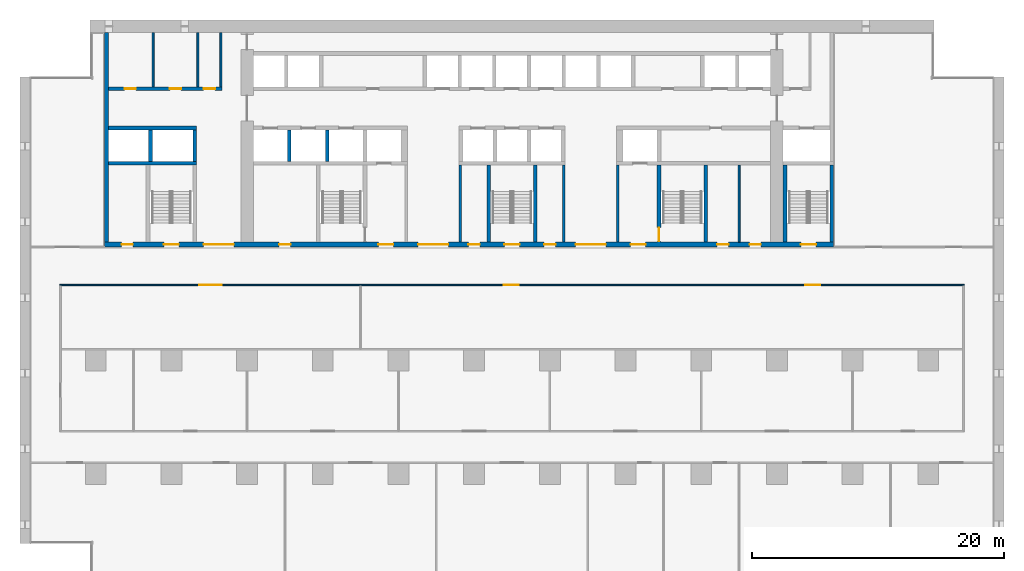
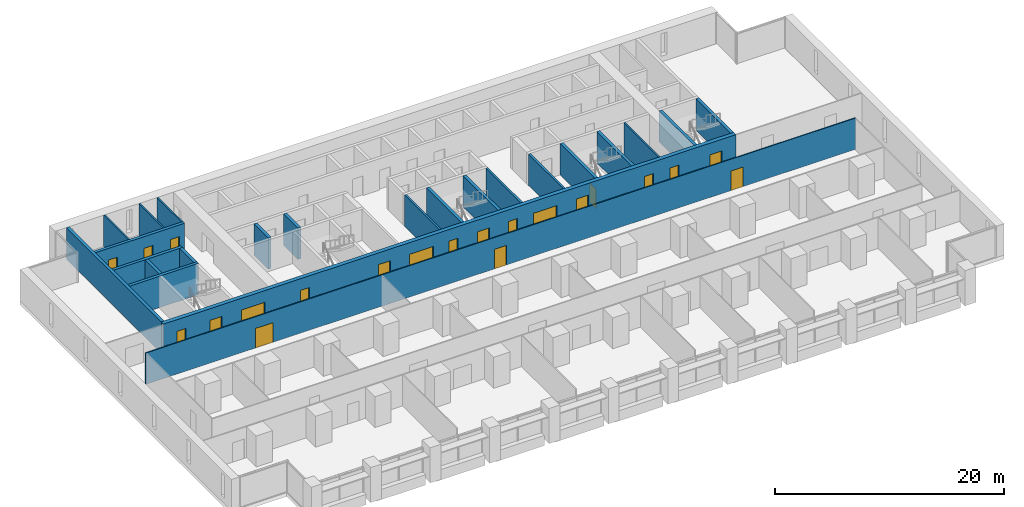
# One storey, part 10 of 18: 23 walls, 21 doors, 21 openings.
"""IFC4 building model written with IfcOpenShell, lengths in metres."""

from ifc_helpers import new_model, si_unit, direction, frame, frame_2d, origin, place, context, subcontext, project, spatial, rectangle, extrude, material, layer, layer_set, type_object, element, fill, save


model = new_model("IFC4")

# Units and contexts
model_context = context("Model", 3, precision=1e-05, world=origin(), true_north=direction((0.0, 1.0)))
body_context = subcontext(model_context, "Body", "Model", "MODEL_VIEW")
ifc_project = project(units=[si_unit("LENGTHUNIT", "METRE"), si_unit("AREAUNIT", "SQUARE_METRE"), si_unit("VOLUMEUNIT", "CUBIC_METRE"), si_unit("PLANEANGLEUNIT", "RADIAN"), si_unit("MASSUNIT", "GRAM", prefix="KILO")], contexts=[model_context])

# Site, building, storey
site_placement = place(None, origin())
site = spatial("IfcSite", under=ifc_project, at=site_placement, CompositionType="ELEMENT")
building_placement = place(site_placement, origin())
building = spatial("IfcBuilding", under=site, at=building_placement, Name="Calvaro Tower", CompositionType="ELEMENT")
storey_placement = place(building_placement, frame((0.0, 0.0, 60.0)))
storey = spatial("IfcBuildingStorey", under=building, at=storey_placement, Name="L14", CompositionType="ELEMENT", Elevation=60.0)

# Walls
ifc_material_1 = material(Name="Blockwork partition", Category="masonry")
ifc_layer_1 = layer(ifc_material_1, 0.14990234375)
ifc_layer_set_1 = layer_set([ifc_layer_1], Name="Blockwork partition")
wall_type_1 = type_object("IfcWallType", Name="Core partition 150 EI 60", PredefinedType="PARTITIONING", material=ifc_layer_set_1)
wall_1_placement = place(storey_placement, frame((57.0, 28.39990234375, 0.0), z_axis=(0.0, 0.0, 1.0), x_axis=(0.0, 1.0, 0.0)))
element("IfcWall", 1, at=wall_1_placement, inside=storey, type_object=wall_type_1, Name="Core partition", PredefinedType="PARTITIONING", context=body_context, shape_type="SweptSolid", body=[
    extrude(rectangle(XDim=6.10009765625, YDim=0.14990234375, at=frame_2d((3.050048828125, 0.0))), origin(), (0.0, 0.0, 1.0), 3.35009765625),
])
for number, where, z_axis, x_axis, name in (
    (2, (10.550048828125, 40.699951171875, 0.0), (0.0, 0.0, 1.0), (0.0, 1.0, 0.0), "Core partition"),
    (3, (14.10009765625, 40.699951171875, 0.0), (0.0, 0.0, 1.0), (0.0, 1.0, 0.0), "Core partition"),
):
    element("IfcWall", number, at=place(storey_placement, frame(where, z_axis=z_axis, x_axis=x_axis)), inside=storey, type_object=wall_type_1, Name=name, PredefinedType="PARTITIONING", context=body_context, shape_type="SweptSolid", body=[
        extrude(rectangle(XDim=4.300048828125, YDim=0.14990234375, at=frame_2d((2.14990234375, 0.0))), origin(), (0.0, 0.0, 1.0), 3.35009765625),
    ])
ifc_material_2 = material(Name="Blockwork partition", Category="masonry")
ifc_layer_2 = layer(ifc_material_2, 0.14990234375)
ifc_layer_set_2 = layer_set([ifc_layer_2], Name="Blockwork partition")
wall_type_2 = type_object("IfcWallType", Name="Core partition 150 REI 120", PredefinedType="PARTITIONING", material=ifc_layer_set_2)
wall_2_placement = place(storey_placement, frame((15.925048828125, 40.699951171875, 0.0), z_axis=(0.0, 0.0, 1.0), x_axis=(0.0, 1.0, 0.0)))
element("IfcWall", 4, at=wall_2_placement, inside=storey, type_object=wall_type_2, Name="Core partition", PredefinedType="PARTITIONING", context=body_context, shape_type="SweptSolid", body=[
    extrude(rectangle(XDim=4.300048828125, YDim=0.14990234375, at=frame_2d((2.14990234375, 0.0))), origin(), (0.0, 0.0, 1.0), 3.35009765625),
])
ifc_material_3 = material(Name="Blockwork partition", Category="masonry")
ifc_layer_3 = layer(ifc_material_3, 0.199951171875)
ifc_layer_set_3 = layer_set([ifc_layer_3], Name="Blockwork partition")
wall_type_3 = type_object("IfcWallType", Name="Core partition 200 REI 120", PredefinedType="PARTITIONING", material=ifc_layer_set_3)
for number, where, z_axis, x_axis, name in (
    (5, (34.89990234375, 28.39990234375, 0.0), (0.0, 0.0, 1.0), (0.0, 1.0, 0.0), "Core partition"),
    (6, (43.10009765625, 28.39990234375, 0.0), (0.0, 0.0, 1.0), (0.0, 1.0, 0.0), "Core partition"),
    (7, (47.39990234375, 28.39990234375, 0.0), (0.0, 0.0, 1.0), (0.0, 1.0, 0.0), "Core partition"),
):
    element("IfcWall", number, at=place(storey_placement, frame(where, z_axis=z_axis, x_axis=x_axis)), inside=storey, type_object=wall_type_3, Name=name, PredefinedType="PARTITIONING", context=body_context, shape_type="SweptSolid", body=[
        extrude(rectangle(XDim=6.10009765625, YDim=0.199951171875, at=frame_2d((3.050048828125, 0.0))), origin(), (0.0, 0.0, 1.0), 3.35009765625),
    ])

# Wall, openings, doors
ifc_material_4 = material(Name="Blockwork partition", Category="masonry")
ifc_layer_4 = layer(ifc_material_4, 0.300048828125)
ifc_layer_set_4 = layer_set([ifc_layer_4], Name="Blockwork partition")
wall_type_4 = type_object("IfcWallType", Name="Core partition 300 REI 120", PredefinedType="PARTITIONING", material=ifc_layer_set_4)
wall_3_placement = place(storey_placement, frame((7.0, 40.550048828125, 0.0), z_axis=(0.0, 0.0, 1.0), x_axis=(1.0, 0.0, 0.0)))
wall_3 = element("IfcWall", 8, at=wall_3_placement, inside=storey, type_object=wall_type_4, Name="Core partition", PredefinedType="PARTITIONING", context=body_context, shape_type="SweptSolid", body=[
    extrude(rectangle(XDim=9.0, YDim=0.300048828125, at=frame_2d((4.5, 0.0))), origin(), (0.0, 0.0, 1.0), 3.35009765625),
])
opening_1_placement = place(wall_3_placement, frame((1.28759765625, 0.0, 0.0)))
opening_1 = element("IfcOpeningElement", 9, at=opening_1_placement, cuts=wall_3, Name="Opening RD9", PredefinedType="OPENING", context=body_context, shape_type="SweptSolid", body=[
    extrude(rectangle(XDim=0.89990234375, YDim=2.10009765625, at=frame_2d((0.449951171875, 1.050048828125))), frame((0.0, 0.159912109375, 0.0), z_axis=(0.0, -1.0, 0.0), x_axis=(1.0, 0.0, 0.0)), (0.0, 0.0, 1.0), 0.320068359375),
])
opening_2_placement = place(wall_3_placement, frame((4.875, 0.0, 0.0)))
opening_2 = element("IfcOpeningElement", 10, at=opening_2_placement, cuts=wall_3, Name="Opening RD9", PredefinedType="OPENING", context=body_context, shape_type="SweptSolid", body=[
    extrude(rectangle(XDim=0.89990234375, YDim=2.10009765625, at=frame_2d((0.449951171875, 1.050048828125))), frame((0.0, 0.159912109375, 0.0), z_axis=(0.0, -1.0, 0.0), x_axis=(1.0, 0.0, 0.0)), (0.0, 0.0, 1.0), 0.320068359375),
])
opening_3_placement = place(wall_3_placement, frame((7.5625, 0.0, 0.0)))
opening_3 = element("IfcOpeningElement", 11, at=opening_3_placement, cuts=wall_3, Name="Opening RD9", PredefinedType="OPENING", context=body_context, shape_type="SweptSolid", body=[
    extrude(rectangle(XDim=0.89990234375, YDim=2.10009765625, at=frame_2d((0.449951171875, 1.050048828125))), frame((0.0, 0.159912109375, 0.0), z_axis=(0.0, -1.0, 0.0), x_axis=(1.0, 0.0, 0.0)), (0.0, 0.0, 1.0), 0.320068359375),
])
ifc_material_5 = material(Name="Steel door set", Category="steel")
door_type_1 = type_object("IfcDoorType", Name="Room door 900", OperationType="SINGLE_SWING_LEFT", PredefinedType="DOOR", material=ifc_material_5)
door_1_placement = place(opening_1_placement, origin())
door_1 = element("IfcDoor", 12, at=door_1_placement, inside=storey, type_object=door_type_1, Name="Room door", OperationType="SINGLE_SWING_RIGHT", OverallHeight=2.10009765625, OverallWidth=0.89990234375, PredefinedType="DOOR", context=body_context, shape_type="SweptSolid", body=[
    extrude(rectangle(XDim=0.89990234375, YDim=2.10009765625, at=frame_2d((0.449951171875, 1.050048828125))), frame((0.0, 0.02490234375, 0.0), z_axis=(0.0, -1.0, 0.0), x_axis=(1.0, 0.0, 0.0)), (0.0, 0.0, 1.0), 0.050048828125),
])
fill(opening_1, door_1)
door_2_placement = place(opening_2_placement, origin())
door_2 = element("IfcDoor", 13, at=door_2_placement, inside=storey, type_object=door_type_1, Name="Room door", OperationType="SINGLE_SWING_LEFT", OverallHeight=2.10009765625, OverallWidth=0.89990234375, PredefinedType="DOOR", context=body_context, shape_type="SweptSolid", body=[
    extrude(rectangle(XDim=0.89990234375, YDim=2.10009765625, at=frame_2d((0.449951171875, 1.050048828125))), frame((0.0, 0.02490234375, 0.0), z_axis=(0.0, -1.0, 0.0), x_axis=(1.0, 0.0, 0.0)), (0.0, 0.0, 1.0), 0.050048828125),
])
fill(opening_2, door_2)
door_3_placement = place(opening_3_placement, origin())
door_3 = element("IfcDoor", 14, at=door_3_placement, inside=storey, type_object=door_type_1, Name="Room door", OperationType="SINGLE_SWING_LEFT", OverallHeight=2.10009765625, OverallWidth=0.89990234375, PredefinedType="DOOR", context=body_context, shape_type="SweptSolid", body=[
    extrude(rectangle(XDim=0.89990234375, YDim=2.10009765625, at=frame_2d((0.449951171875, 1.050048828125))), frame((0.0, 0.02490234375, 0.0), z_axis=(0.0, -1.0, 0.0), x_axis=(1.0, 0.0, 0.0)), (0.0, 0.0, 1.0), 0.050048828125),
])
fill(opening_3, door_3)

# Walls
ifc_material_6 = material(Name="Concrete C80/95", Category="concrete")
ifc_layer_5 = layer(ifc_material_6, 0.300048828125)
ifc_layer_set_5 = layer_set([ifc_layer_5], Name="Concrete C80/95")
wall_type_5 = type_object("IfcWallType", Name="Core wall C80/95 300", PredefinedType="SHEAR", material=ifc_layer_set_5)
wall_4_placement = place(storey_placement, frame((6.85009765625, 28.39990234375, 0.0), z_axis=(0.0, 0.0, 1.0), x_axis=(0.0, 1.0, 0.0)))
element("IfcWall", 15, at=wall_4_placement, inside=storey, type_object=wall_type_5, Name="Core wall, boundary", PredefinedType="SHEAR", context=body_context, shape_type="SweptSolid", body=[
    extrude(rectangle(XDim=16.60009765625, YDim=0.300048828125, at=frame_2d((8.300048828125, 0.0))), origin(), (0.0, 0.0, 1.0), 3.35009765625),
])
for number, where, z_axis, x_axis, name in (
    (16, (37.14990234375, 28.39990234375, 0.0), (0.0, 0.0, 1.0), (0.0, 1.0, 0.0), "Core wall, stair enclosure"),
    (17, (40.85009765625, 28.39990234375, 0.0), (0.0, 0.0, 1.0), (0.0, 1.0, 0.0), "Core wall, stair enclosure"),
):
    element("IfcWall", number, at=place(storey_placement, frame(where, z_axis=z_axis, x_axis=x_axis)), inside=storey, type_object=wall_type_5, Name=name, PredefinedType="SHEAR", context=body_context, shape_type="SweptSolid", body=[
        extrude(rectangle(XDim=6.10009765625, YDim=0.300048828125, at=frame_2d((3.050048828125, 0.0))), origin(), (0.0, 0.0, 1.0), 3.35009765625),
    ])

# Wall, opening, door
wall_5_placement = place(storey_placement, frame((50.64990234375, 34.5, 0.0), z_axis=(0.0, 0.0, 1.0), x_axis=(0.0, -1.0, 0.0)))
wall_5 = element("IfcWall", 18, at=wall_5_placement, inside=storey, type_object=wall_type_5, Name="Core wall, stair enclosure", PredefinedType="SHEAR", context=body_context, shape_type="SweptSolid", body=[
    extrude(rectangle(XDim=6.10009765625, YDim=0.300048828125, at=frame_2d((3.050048828125, 0.0))), origin(), (0.0, 0.0, 1.0), 3.35009765625),
])
opening_4_placement = place(wall_5_placement, frame((4.949951171875, 0.0, 0.0)))
opening_4 = element("IfcOpeningElement", 19, at=opening_4_placement, cuts=wall_5, Name="Opening FD11D", PredefinedType="OPENING", context=body_context, shape_type="SweptSolid", body=[
    extrude(rectangle(XDim=1.10009765625, YDim=2.10009765625, at=frame_2d((0.550048828125, 1.050048828125))), frame((0.0, 0.159912109375, 0.0), z_axis=(0.0, -1.0, 0.0), x_axis=(1.0, 0.0, 0.0)), (0.0, 0.0, 1.0), 0.320068359375),
])
ifc_material_7 = material(Name="Steel door set", Category="steel")
door_type_2 = type_object("IfcDoorType", Name="Fire door 1100 FD30S", OperationType="SINGLE_SWING_LEFT", PredefinedType="DOOR", material=ifc_material_7)
door_4_placement = place(opening_4_placement, origin())
door_4 = element("IfcDoor", 20, at=door_4_placement, inside=storey, type_object=door_type_2, Name="Fire door", OperationType="SINGLE_SWING_RIGHT", OverallHeight=2.10009765625, OverallWidth=1.10009765625, PredefinedType="DOOR", context=body_context, shape_type="SweptSolid", body=[
    extrude(rectangle(XDim=1.10009765625, YDim=2.10009765625, at=frame_2d((0.550048828125, 1.050048828125))), frame((0.0, 0.02490234375, 0.0), z_axis=(0.0, -1.0, 0.0), x_axis=(1.0, 0.0, 0.0)), (0.0, 0.0, 1.0), 0.050048828125),
])
fill(opening_4, door_4)

# Walls
for number, where, z_axis, x_axis, name in (
    (21, (54.35009765625, 28.39990234375, 0.0), (0.0, 0.0, 1.0), (0.0, 1.0, 0.0), "Core wall, stair enclosure"),
    (22, (60.64990234375, 28.39990234375, 0.0), (0.0, 0.0, 1.0), (0.0, 1.0, 0.0), "Core wall, stair enclosure"),
    (23, (64.35009765625, 28.39990234375, 0.0), (0.0, 0.0, 1.0), (0.0, 1.0, 0.0), "Core wall, stair enclosure"),
):
    element("IfcWall", number, at=place(storey_placement, frame(where, z_axis=z_axis, x_axis=x_axis)), inside=storey, type_object=wall_type_5, Name=name, PredefinedType="SHEAR", context=body_context, shape_type="SweptSolid", body=[
        extrude(rectangle(XDim=6.10009765625, YDim=0.300048828125, at=frame_2d((3.050048828125, 0.0))), origin(), (0.0, 0.0, 1.0), 3.35009765625),
    ])
for number, where, z_axis, x_axis, name in (
    (24, (7.0, 34.64990234375, 0.0), (0.0, 0.0, 1.0), (1.0, 0.0, 0.0), "Core wall, lift shaft"),
    (25, (7.0, 37.449951171875, 0.0), (0.0, 0.0, 1.0), (1.0, 0.0, 0.0), "Core wall, lift shaft"),
):
    element("IfcWall", number, at=place(storey_placement, frame(where, z_axis=z_axis, x_axis=x_axis)), inside=storey, type_object=wall_type_5, Name=name, PredefinedType="SHEAR", context=body_context, shape_type="SweptSolid", body=[
        extrude(rectangle(XDim=7.0, YDim=0.300048828125, at=frame_2d((3.5, 0.0))), origin(), (0.0, 0.0, 1.0), 3.35009765625),
    ])
for number, where, z_axis, x_axis, name in (
    (26, (13.85009765625, 34.800048828125, 0.0), (0.0, 0.0, 1.0), (0.0, 1.0, 0.0), "Core wall, lift shaft"),
    (27, (21.35009765625, 34.800048828125, 0.0), (0.0, 0.0, 1.0), (0.0, 1.0, 0.0), "Core wall, lift shaft"),
    (28, (24.35009765625, 34.800048828125, 0.0), (0.0, 0.0, 1.0), (0.0, 1.0, 0.0), "Core wall, lift shaft"),
    (29, (10.35009765625, 34.800048828125, 0.0), (0.0, 0.0, 1.0), (0.0, 1.0, 0.0), "Core wall, lift shaft"),
):
    element("IfcWall", number, at=place(storey_placement, frame(where, z_axis=z_axis, x_axis=x_axis)), inside=storey, type_object=wall_type_5, Name=name, PredefinedType="SHEAR", context=body_context, shape_type="SweptSolid", body=[
        extrude(rectangle(XDim=2.5, YDim=0.300048828125, at=frame_2d((1.25, 0.0))), origin(), (0.0, 0.0, 1.0), 3.35009765625),
    ])

# Wall, openings, doors
ifc_material_8 = material(Name="Concrete C80/95", Category="concrete")
ifc_layer_6 = layer(ifc_material_8, 0.39990234375)
ifc_layer_set_6 = layer_set([ifc_layer_6], Name="Concrete C80/95")
wall_type_6 = type_object("IfcWallType", Name="Core wall C80/95 400", PredefinedType="SHEAR", material=ifc_layer_set_6)
wall_6_placement = place(storey_placement, frame((6.699951171875, 28.199951171875, 0.0), z_axis=(0.0, 0.0, 1.0), x_axis=(1.0, 0.0, 0.0)))
wall_6 = element("IfcWall", 30, at=wall_6_placement, inside=storey, type_object=wall_type_6, Name="Core wall, front", PredefinedType="SHEAR", context=body_context, shape_type="SweptSolid", body=[
    extrude(rectangle(XDim=57.800048828125, YDim=0.39990234375, at=frame_2d((28.89990234375, 0.0))), origin(), (0.0, 0.0, 1.0), 3.35009765625),
])
opening_5_placement = place(wall_6_placement, frame((13.85009765625, 0.0, 0.0)))
opening_5 = element("IfcOpeningElement", 31, at=opening_5_placement, cuts=wall_6, Name="Opening RD9E", PredefinedType="OPENING", context=body_context, shape_type="SweptSolid", body=[
    extrude(rectangle(XDim=0.89990234375, YDim=2.10009765625, at=frame_2d((0.449951171875, 1.050048828125))), frame((0.0, 0.2099609375, 0.0), z_axis=(0.0, -1.0, 0.0), x_axis=(1.0, 0.0, 0.0)), (0.0, 0.0, 1.0), 0.419921875),
])
opening_6_placement = place(wall_6_placement, frame((48.5625, 0.0, 0.0)))
opening_6 = element("IfcOpeningElement", 32, at=opening_6_placement, cuts=wall_6, Name="Opening RD9C", PredefinedType="OPENING", context=body_context, shape_type="SweptSolid", body=[
    extrude(rectangle(XDim=0.89990234375, YDim=2.10009765625, at=frame_2d((0.449951171875, 1.050048828125))), frame((0.0, 0.2099609375, 0.0), z_axis=(0.0, -1.0, 0.0), x_axis=(1.0, 0.0, 0.0)), (0.0, 0.0, 1.0), 0.419921875),
])
opening_7_placement = place(wall_6_placement, frame((51.137451171875, 0.0, 0.0)))
opening_7 = element("IfcOpeningElement", 33, at=opening_7_placement, cuts=wall_6, Name="Opening RD9C", PredefinedType="OPENING", context=body_context, shape_type="SweptSolid", body=[
    extrude(rectangle(XDim=0.89990234375, YDim=2.10009765625, at=frame_2d((0.449951171875, 1.050048828125))), frame((0.0, 0.2099609375, 0.0), z_axis=(0.0, -1.0, 0.0), x_axis=(1.0, 0.0, 0.0)), (0.0, 0.0, 1.0), 0.419921875),
])
opening_8_placement = place(wall_6_placement, frame((1.35009765625, 0.0, 0.0)))
opening_8 = element("IfcOpeningElement", 34, at=opening_8_placement, cuts=wall_6, Name="Opening RD9C", PredefinedType="OPENING", context=body_context, shape_type="SweptSolid", body=[
    extrude(rectangle(XDim=0.89990234375, YDim=2.10009765625, at=frame_2d((0.449951171875, 1.050048828125))), frame((0.0, 0.2099609375, 0.0), z_axis=(0.0, -1.0, 0.0), x_axis=(1.0, 0.0, 0.0)), (0.0, 0.0, 1.0), 0.419921875),
])
opening_9_placement = place(wall_6_placement, frame((4.699951171875, 0.0, 0.0)))
opening_9 = element("IfcOpeningElement", 35, at=opening_9_placement, cuts=wall_6, Name="Opening SD12D", PredefinedType="OPENING", context=body_context, shape_type="SweptSolid", body=[
    extrude(rectangle(XDim=1.199951171875, YDim=2.10009765625, at=frame_2d((0.60009765625, 1.050048828125))), frame((0.0, 0.2099609375, 0.0), z_axis=(0.0, -1.0, 0.0), x_axis=(1.0, 0.0, 0.0)), (0.0, 0.0, 1.0), 0.419921875),
])
opening_10_placement = place(wall_6_placement, frame((31.699951171875, 0.0, 0.0)))
opening_10 = element("IfcOpeningElement", 36, at=opening_10_placement, cuts=wall_6, Name="Opening SD12D", PredefinedType="OPENING", context=body_context, shape_type="SweptSolid", body=[
    extrude(rectangle(XDim=1.199951171875, YDim=2.10009765625, at=frame_2d((0.60009765625, 1.050048828125))), frame((0.0, 0.2099609375, 0.0), z_axis=(0.0, -1.0, 0.0), x_axis=(1.0, 0.0, 0.0)), (0.0, 0.0, 1.0), 0.419921875),
])
opening_11_placement = place(wall_6_placement, frame((55.199951171875, 0.0, 0.0)))
opening_11 = element("IfcOpeningElement", 37, at=opening_11_placement, cuts=wall_6, Name="Opening SD12D", PredefinedType="OPENING", context=body_context, shape_type="SweptSolid", body=[
    extrude(rectangle(XDim=1.199951171875, YDim=2.10009765625, at=frame_2d((0.60009765625, 1.050048828125))), frame((0.0, 0.2099609375, 0.0), z_axis=(0.0, -1.0, 0.0), x_axis=(1.0, 0.0, 0.0)), (0.0, 0.0, 1.0), 0.419921875),
])
opening_12_placement = place(wall_6_placement, frame((21.699951171875, 0.0, 0.0)))
opening_12 = element("IfcOpeningElement", 38, at=opening_12_placement, cuts=wall_6, Name="Opening FD12F", PredefinedType="OPENING", context=body_context, shape_type="SweptSolid", body=[
    extrude(rectangle(XDim=1.199951171875, YDim=2.10009765625, at=frame_2d((0.60009765625, 1.050048828125))), frame((0.0, 0.2099609375, 0.0), z_axis=(0.0, -1.0, 0.0), x_axis=(1.0, 0.0, 0.0)), (0.0, 0.0, 1.0), 0.419921875),
])
opening_13_placement = place(wall_6_placement, frame((41.699951171875, 0.0, 0.0)))
opening_13 = element("IfcOpeningElement", 39, at=opening_13_placement, cuts=wall_6, Name="Opening FD12F", PredefinedType="OPENING", context=body_context, shape_type="SweptSolid", body=[
    extrude(rectangle(XDim=1.199951171875, YDim=2.10009765625, at=frame_2d((0.60009765625, 1.050048828125))), frame((0.0, 0.2099609375, 0.0), z_axis=(0.0, -1.0, 0.0), x_axis=(1.0, 0.0, 0.0)), (0.0, 0.0, 1.0), 0.419921875),
])
opening_14_placement = place(wall_6_placement, frame((24.85009765625, 0.0, 0.0)))
opening_14 = element("IfcOpeningElement", 40, at=opening_14_placement, cuts=wall_6, Name="Opening DD24D", PredefinedType="OPENING", context=body_context, shape_type="SweptSolid", body=[
    extrude(rectangle(XDim=2.39990234375, YDim=2.10009765625, at=frame_2d((1.199951171875, 1.050048828125))), frame((0.0, 0.2099609375, 0.0), z_axis=(0.0, -1.0, 0.0), x_axis=(1.0, 0.0, 0.0)), (0.0, 0.0, 1.0), 0.419921875),
])
opening_15_placement = place(wall_6_placement, frame((37.35009765625, 0.0, 0.0)))
opening_15 = element("IfcOpeningElement", 41, at=opening_15_placement, cuts=wall_6, Name="Opening DD24D", PredefinedType="OPENING", context=body_context, shape_type="SweptSolid", body=[
    extrude(rectangle(XDim=2.39990234375, YDim=2.10009765625, at=frame_2d((1.199951171875, 1.050048828125))), frame((0.0, 0.2099609375, 0.0), z_axis=(0.0, -1.0, 0.0), x_axis=(1.0, 0.0, 0.0)), (0.0, 0.0, 1.0), 0.419921875),
])
opening_16_placement = place(wall_6_placement, frame((7.85009765625, 0.0, 0.0)))
opening_16 = element("IfcOpeningElement", 42, at=opening_16_placement, cuts=wall_6, Name="Opening DD24D", PredefinedType="OPENING", context=body_context, shape_type="SweptSolid", body=[
    extrude(rectangle(XDim=2.39990234375, YDim=2.10009765625, at=frame_2d((1.199951171875, 1.050048828125))), frame((0.0, 0.2099609375, 0.0), z_axis=(0.0, -1.0, 0.0), x_axis=(1.0, 0.0, 0.0)), (0.0, 0.0, 1.0), 0.419921875),
])
opening_17_placement = place(wall_6_placement, frame((28.85009765625, 0.0, 0.0)))
opening_17 = element("IfcOpeningElement", 43, at=opening_17_placement, cuts=wall_6, Name="Opening RD9E", PredefinedType="OPENING", context=body_context, shape_type="SweptSolid", body=[
    extrude(rectangle(XDim=0.89990234375, YDim=2.10009765625, at=frame_2d((0.449951171875, 1.050048828125))), frame((0.0, 0.2099609375, 0.0), z_axis=(0.0, -1.0, 0.0), x_axis=(1.0, 0.0, 0.0)), (0.0, 0.0, 1.0), 0.419921875),
])
opening_18_placement = place(wall_6_placement, frame((34.85009765625, 0.0, 0.0)))
opening_18 = element("IfcOpeningElement", 44, at=opening_18_placement, cuts=wall_6, Name="Opening RD9E", PredefinedType="OPENING", context=body_context, shape_type="SweptSolid", body=[
    extrude(rectangle(XDim=0.89990234375, YDim=2.10009765625, at=frame_2d((0.449951171875, 1.050048828125))), frame((0.0, 0.2099609375, 0.0), z_axis=(0.0, -1.0, 0.0), x_axis=(1.0, 0.0, 0.0)), (0.0, 0.0, 1.0), 0.419921875),
])
ifc_material_9 = material(Name="Steel door set", Category="steel")
door_type_3 = type_object("IfcDoorType", Name="Fire door 1200 FD60S", OperationType="SINGLE_SWING_LEFT", PredefinedType="DOOR", material=ifc_material_9)
door_5_placement = place(opening_12_placement, origin())
door_5 = element("IfcDoor", 45, at=door_5_placement, inside=storey, type_object=door_type_3, Name="Fire door", OperationType="SINGLE_SWING_LEFT", OverallHeight=2.10009765625, OverallWidth=1.199951171875, PredefinedType="DOOR", context=body_context, shape_type="SweptSolid", body=[
    extrude(rectangle(XDim=1.199951171875, YDim=2.10009765625, at=frame_2d((0.60009765625, 1.050048828125))), frame((0.0, 0.02490234375, 0.0), z_axis=(0.0, -1.0, 0.0), x_axis=(1.0, 0.0, 0.0)), (0.0, 0.0, 1.0), 0.050048828125),
])
fill(opening_12, door_5)
door_6_placement = place(opening_13_placement, origin())
door_6 = element("IfcDoor", 46, at=door_6_placement, inside=storey, type_object=door_type_3, Name="Fire door", OperationType="SINGLE_SWING_LEFT", OverallHeight=2.10009765625, OverallWidth=1.199951171875, PredefinedType="DOOR", context=body_context, shape_type="SweptSolid", body=[
    extrude(rectangle(XDim=1.199951171875, YDim=2.10009765625, at=frame_2d((0.60009765625, 1.050048828125))), frame((0.0, 0.02490234375, 0.0), z_axis=(0.0, -1.0, 0.0), x_axis=(1.0, 0.0, 0.0)), (0.0, 0.0, 1.0), 0.050048828125),
])
fill(opening_13, door_6)
ifc_material_10 = material(Name="Steel door set", Category="steel")
door_type_4 = type_object("IfcDoorType", Name="Lobby double door 2400 FD30S", OperationType="DOUBLE_DOOR_SINGLE_SWING", PredefinedType="DOOR", material=ifc_material_10)
door_7_placement = place(opening_14_placement, origin())
door_7 = element("IfcDoor", 47, at=door_7_placement, inside=storey, type_object=door_type_4, Name="Lobby double door", OperationType="DOUBLE_DOOR_SINGLE_SWING", OverallHeight=2.10009765625, OverallWidth=2.39990234375, PredefinedType="DOOR", context=body_context, shape_type="SweptSolid", body=[
    extrude(rectangle(XDim=2.39990234375, YDim=2.10009765625, at=frame_2d((1.199951171875, 1.050048828125))), frame((0.0, 0.02490234375, 0.0), z_axis=(0.0, -1.0, 0.0), x_axis=(1.0, 0.0, 0.0)), (0.0, 0.0, 1.0), 0.050048828125),
])
fill(opening_14, door_7)
door_8_placement = place(opening_15_placement, origin())
door_8 = element("IfcDoor", 48, at=door_8_placement, inside=storey, type_object=door_type_4, Name="Lobby double door", OperationType="DOUBLE_DOOR_SINGLE_SWING", OverallHeight=2.10009765625, OverallWidth=2.39990234375, PredefinedType="DOOR", context=body_context, shape_type="SweptSolid", body=[
    extrude(rectangle(XDim=2.39990234375, YDim=2.10009765625, at=frame_2d((1.199951171875, 1.050048828125))), frame((0.0, 0.02490234375, 0.0), z_axis=(0.0, -1.0, 0.0), x_axis=(1.0, 0.0, 0.0)), (0.0, 0.0, 1.0), 0.050048828125),
])
fill(opening_15, door_8)
door_9_placement = place(opening_16_placement, origin())
door_9 = element("IfcDoor", 49, at=door_9_placement, inside=storey, type_object=door_type_4, Name="Lobby double door", OperationType="DOUBLE_DOOR_SINGLE_SWING", OverallHeight=2.10009765625, OverallWidth=2.39990234375, PredefinedType="DOOR", context=body_context, shape_type="SweptSolid", body=[
    extrude(rectangle(XDim=2.39990234375, YDim=2.10009765625, at=frame_2d((1.199951171875, 1.050048828125))), frame((0.0, 0.02490234375, 0.0), z_axis=(0.0, -1.0, 0.0), x_axis=(1.0, 0.0, 0.0)), (0.0, 0.0, 1.0), 0.050048828125),
])
fill(opening_16, door_9)
ifc_material_11 = material(Name="Steel door set", Category="steel")
door_type_5 = type_object("IfcDoorType", Name="Room door 900 FD30", OperationType="SINGLE_SWING_LEFT", PredefinedType="DOOR", material=ifc_material_11)
door_10_placement = place(opening_6_placement, origin())
door_10 = element("IfcDoor", 50, at=door_10_placement, inside=storey, type_object=door_type_5, Name="Room door", OperationType="SINGLE_SWING_LEFT", OverallHeight=2.10009765625, OverallWidth=0.89990234375, PredefinedType="DOOR", context=body_context, shape_type="SweptSolid", body=[
    extrude(rectangle(XDim=0.89990234375, YDim=2.10009765625, at=frame_2d((0.449951171875, 1.050048828125))), frame((0.0, 0.02490234375, 0.0), z_axis=(0.0, -1.0, 0.0), x_axis=(1.0, 0.0, 0.0)), (0.0, 0.0, 1.0), 0.050048828125),
])
fill(opening_6, door_10)
door_11_placement = place(opening_7_placement, origin())
door_11 = element("IfcDoor", 51, at=door_11_placement, inside=storey, type_object=door_type_5, Name="Room door", OperationType="SINGLE_SWING_LEFT", OverallHeight=2.10009765625, OverallWidth=0.89990234375, PredefinedType="DOOR", context=body_context, shape_type="SweptSolid", body=[
    extrude(rectangle(XDim=0.89990234375, YDim=2.10009765625, at=frame_2d((0.449951171875, 1.050048828125))), frame((0.0, 0.02490234375, 0.0), z_axis=(0.0, -1.0, 0.0), x_axis=(1.0, 0.0, 0.0)), (0.0, 0.0, 1.0), 0.050048828125),
])
fill(opening_7, door_11)
door_12_placement = place(opening_8_placement, origin())
door_12 = element("IfcDoor", 52, at=door_12_placement, inside=storey, type_object=door_type_5, Name="Room door", OperationType="SINGLE_SWING_LEFT", OverallHeight=2.10009765625, OverallWidth=0.89990234375, PredefinedType="DOOR", context=body_context, shape_type="SweptSolid", body=[
    extrude(rectangle(XDim=0.89990234375, YDim=2.10009765625, at=frame_2d((0.449951171875, 1.050048828125))), frame((0.0, 0.02490234375, 0.0), z_axis=(0.0, -1.0, 0.0), x_axis=(1.0, 0.0, 0.0)), (0.0, 0.0, 1.0), 0.050048828125),
])
fill(opening_8, door_12)
ifc_material_12 = material(Name="Steel door set", Category="steel")
door_type_6 = type_object("IfcDoorType", Name="Room door 900 FD60", OperationType="SINGLE_SWING_LEFT", PredefinedType="DOOR", material=ifc_material_12)
door_13_placement = place(opening_5_placement, origin())
door_13 = element("IfcDoor", 53, at=door_13_placement, inside=storey, type_object=door_type_6, Name="Room door", OperationType="SINGLE_SWING_LEFT", OverallHeight=2.10009765625, OverallWidth=0.89990234375, PredefinedType="DOOR", context=body_context, shape_type="SweptSolid", body=[
    extrude(rectangle(XDim=0.89990234375, YDim=2.10009765625, at=frame_2d((0.449951171875, 1.050048828125))), frame((0.0, 0.02490234375, 0.0), z_axis=(0.0, -1.0, 0.0), x_axis=(1.0, 0.0, 0.0)), (0.0, 0.0, 1.0), 0.050048828125),
])
fill(opening_5, door_13)
door_14_placement = place(opening_17_placement, origin())
door_14 = element("IfcDoor", 54, at=door_14_placement, inside=storey, type_object=door_type_6, Name="Room door", OperationType="SINGLE_SWING_LEFT", OverallHeight=2.10009765625, OverallWidth=0.89990234375, PredefinedType="DOOR", context=body_context, shape_type="SweptSolid", body=[
    extrude(rectangle(XDim=0.89990234375, YDim=2.10009765625, at=frame_2d((0.449951171875, 1.050048828125))), frame((0.0, 0.02490234375, 0.0), z_axis=(0.0, -1.0, 0.0), x_axis=(1.0, 0.0, 0.0)), (0.0, 0.0, 1.0), 0.050048828125),
])
fill(opening_17, door_14)
door_15_placement = place(opening_18_placement, origin())
door_15 = element("IfcDoor", 55, at=door_15_placement, inside=storey, type_object=door_type_6, Name="Room door", OperationType="SINGLE_SWING_LEFT", OverallHeight=2.10009765625, OverallWidth=0.89990234375, PredefinedType="DOOR", context=body_context, shape_type="SweptSolid", body=[
    extrude(rectangle(XDim=0.89990234375, YDim=2.10009765625, at=frame_2d((0.449951171875, 1.050048828125))), frame((0.0, 0.02490234375, 0.0), z_axis=(0.0, -1.0, 0.0), x_axis=(1.0, 0.0, 0.0)), (0.0, 0.0, 1.0), 0.050048828125),
])
fill(opening_18, door_15)
ifc_material_13 = material(Name="Steel door set", Category="steel")
door_type_7 = type_object("IfcDoorType", Name="Stair door 1200 FD30S", OperationType="SINGLE_SWING_LEFT", PredefinedType="DOOR", material=ifc_material_13)
door_16_placement = place(opening_9_placement, origin())
door_16 = element("IfcDoor", 56, at=door_16_placement, inside=storey, type_object=door_type_7, Name="Stair door", OperationType="SINGLE_SWING_LEFT", OverallHeight=2.10009765625, OverallWidth=1.199951171875, PredefinedType="DOOR", context=body_context, shape_type="SweptSolid", body=[
    extrude(rectangle(XDim=1.199951171875, YDim=2.10009765625, at=frame_2d((0.60009765625, 1.050048828125))), frame((0.0, 0.02490234375, 0.0), z_axis=(0.0, -1.0, 0.0), x_axis=(1.0, 0.0, 0.0)), (0.0, 0.0, 1.0), 0.050048828125),
])
fill(opening_9, door_16)
door_17_placement = place(opening_10_placement, origin())
door_17 = element("IfcDoor", 57, at=door_17_placement, inside=storey, type_object=door_type_7, Name="Stair door", OperationType="SINGLE_SWING_LEFT", OverallHeight=2.10009765625, OverallWidth=1.199951171875, PredefinedType="DOOR", context=body_context, shape_type="SweptSolid", body=[
    extrude(rectangle(XDim=1.199951171875, YDim=2.10009765625, at=frame_2d((0.60009765625, 1.050048828125))), frame((0.0, 0.02490234375, 0.0), z_axis=(0.0, -1.0, 0.0), x_axis=(1.0, 0.0, 0.0)), (0.0, 0.0, 1.0), 0.050048828125),
])
fill(opening_10, door_17)
door_18_placement = place(opening_11_placement, origin())
door_18 = element("IfcDoor", 58, at=door_18_placement, inside=storey, type_object=door_type_7, Name="Stair door", OperationType="SINGLE_SWING_LEFT", OverallHeight=2.10009765625, OverallWidth=1.199951171875, PredefinedType="DOOR", context=body_context, shape_type="SweptSolid", body=[
    extrude(rectangle(XDim=1.199951171875, YDim=2.10009765625, at=frame_2d((0.60009765625, 1.050048828125))), frame((0.0, 0.02490234375, 0.0), z_axis=(0.0, -1.0, 0.0), x_axis=(1.0, 0.0, 0.0)), (0.0, 0.0, 1.0), 0.050048828125),
])
fill(opening_11, door_18)

ifc_material_14 = material(Name="Plasterboard on steel studs", Category="steel")
ifc_layer_7 = layer(ifc_material_14, 0.10009765625)
ifc_layer_set_7 = layer_set([ifc_layer_7], Name="Plasterboard on steel studs")
wall_type_7 = type_object("IfcWallType", Name="Partition 100", PredefinedType="PARTITIONING", material=ifc_layer_set_7)
wall_7_placement = place(storey_placement, frame((3.14990234375, 25.0, 0.0), z_axis=(0.0, 0.0, 1.0), x_axis=(1.0, 0.0, 0.0)))
wall_7 = element("IfcWall", 59, at=wall_7_placement, inside=storey, type_object=wall_type_7, Name="Partition T12.W004", PredefinedType="PARTITIONING", context=body_context, shape_type="SweptSolid", body=[
    extrude(rectangle(XDim=71.7001953125, YDim=0.10009765625, at=frame_2d((35.85009765625, 0.0))), origin(), (0.0, 0.0, 1.0), 3.35009765625),
])
opening_19_placement = place(wall_7_placement, frame((11.050048828125, 0.0, 0.0)))
opening_19 = element("IfcOpeningElement", 60, at=opening_19_placement, cuts=wall_7, Name="Opening T12.016", PredefinedType="OPENING", context=body_context, shape_type="SweptSolid", body=[
    extrude(rectangle(XDim=1.800048828125, YDim=2.10009765625, at=frame_2d((0.89990234375, 1.050048828125))), frame((0.0, 0.06005859375, 0.0), z_axis=(0.0, -1.0, 0.0), x_axis=(1.0, 0.0, 0.0)), (0.0, 0.0, 1.0), 0.1201171875),
])
opening_20_placement = place(wall_7_placement, frame((35.199951171875, 0.0, 0.0)))
opening_20 = element("IfcOpeningElement", 61, at=opening_20_placement, cuts=wall_7, Name="Opening T12.017", PredefinedType="OPENING", context=body_context, shape_type="SweptSolid", body=[
    extrude(rectangle(XDim=1.199951171875, YDim=2.10009765625, at=frame_2d((0.60009765625, 1.050048828125))), frame((0.0, 0.06005859375, 0.0), z_axis=(0.0, -1.0, 0.0), x_axis=(1.0, 0.0, 0.0)), (0.0, 0.0, 1.0), 0.1201171875),
])
opening_21_placement = place(wall_7_placement, frame((59.10009765625, 0.0, 0.0)))
opening_21 = element("IfcOpeningElement", 62, at=opening_21_placement, cuts=wall_7, Name="Opening T12.018", PredefinedType="OPENING", context=body_context, shape_type="SweptSolid", body=[
    extrude(rectangle(XDim=1.199951171875, YDim=2.10009765625, at=frame_2d((0.60009765625, 1.050048828125))), frame((0.0, 0.06005859375, 0.0), z_axis=(0.0, -1.0, 0.0), x_axis=(1.0, 0.0, 0.0)), (0.0, 0.0, 1.0), 0.1201171875),
])
ifc_material_15 = material(Name="Timber", Category="wood")
door_type_8 = type_object("IfcDoorType", Name="Internal double door 1800 x 2100", OperationType="DOUBLE_DOOR_SINGLE_SWING", PredefinedType="DOOR", material=ifc_material_15)
door_19_placement = place(opening_19_placement, origin())
door_19 = element("IfcDoor", 63, at=door_19_placement, inside=storey, type_object=door_type_8, Name="Door T12.016", OperationType="DOUBLE_DOOR_SINGLE_SWING", OverallHeight=2.10009765625, OverallWidth=1.800048828125, PredefinedType="DOOR", context=body_context, shape_type="SweptSolid", body=[
    extrude(rectangle(XDim=1.800048828125, YDim=2.10009765625, at=frame_2d((0.89990234375, 1.050048828125))), frame((0.0, 0.02490234375, 0.0), z_axis=(0.0, -1.0, 0.0), x_axis=(1.0, 0.0, 0.0)), (0.0, 0.0, 1.0), 0.050048828125),
])
fill(opening_19, door_19)
ifc_material_16 = material(Name="Timber", Category="wood")
door_type_9 = type_object("IfcDoorType", Name="Internal single door 1200 x 2100", OperationType="SINGLE_SWING_LEFT", PredefinedType="DOOR", material=ifc_material_16)
door_20_placement = place(opening_20_placement, origin())
door_20 = element("IfcDoor", 64, at=door_20_placement, inside=storey, type_object=door_type_9, Name="Door T12.017", OperationType="SINGLE_SWING_LEFT", OverallHeight=2.10009765625, OverallWidth=1.199951171875, PredefinedType="DOOR", context=body_context, shape_type="SweptSolid", body=[
    extrude(rectangle(XDim=1.199951171875, YDim=2.10009765625, at=frame_2d((0.60009765625, 1.050048828125))), frame((0.0, 0.02490234375, 0.0), z_axis=(0.0, -1.0, 0.0), x_axis=(1.0, 0.0, 0.0)), (0.0, 0.0, 1.0), 0.050048828125),
])
fill(opening_20, door_20)
door_21_placement = place(opening_21_placement, origin())
door_21 = element("IfcDoor", 65, at=door_21_placement, inside=storey, type_object=door_type_9, Name="Door T12.018", OperationType="SINGLE_SWING_RIGHT", OverallHeight=2.10009765625, OverallWidth=1.199951171875, PredefinedType="DOOR", context=body_context, shape_type="SweptSolid", body=[
    extrude(rectangle(XDim=1.199951171875, YDim=2.10009765625, at=frame_2d((0.60009765625, 1.050048828125))), frame((0.0, 0.02490234375, 0.0), z_axis=(0.0, -1.0, 0.0), x_axis=(1.0, 0.0, 0.0)), (0.0, 0.0, 1.0), 0.050048828125),
])
fill(opening_21, door_21)

save(model, "model.ifc")
